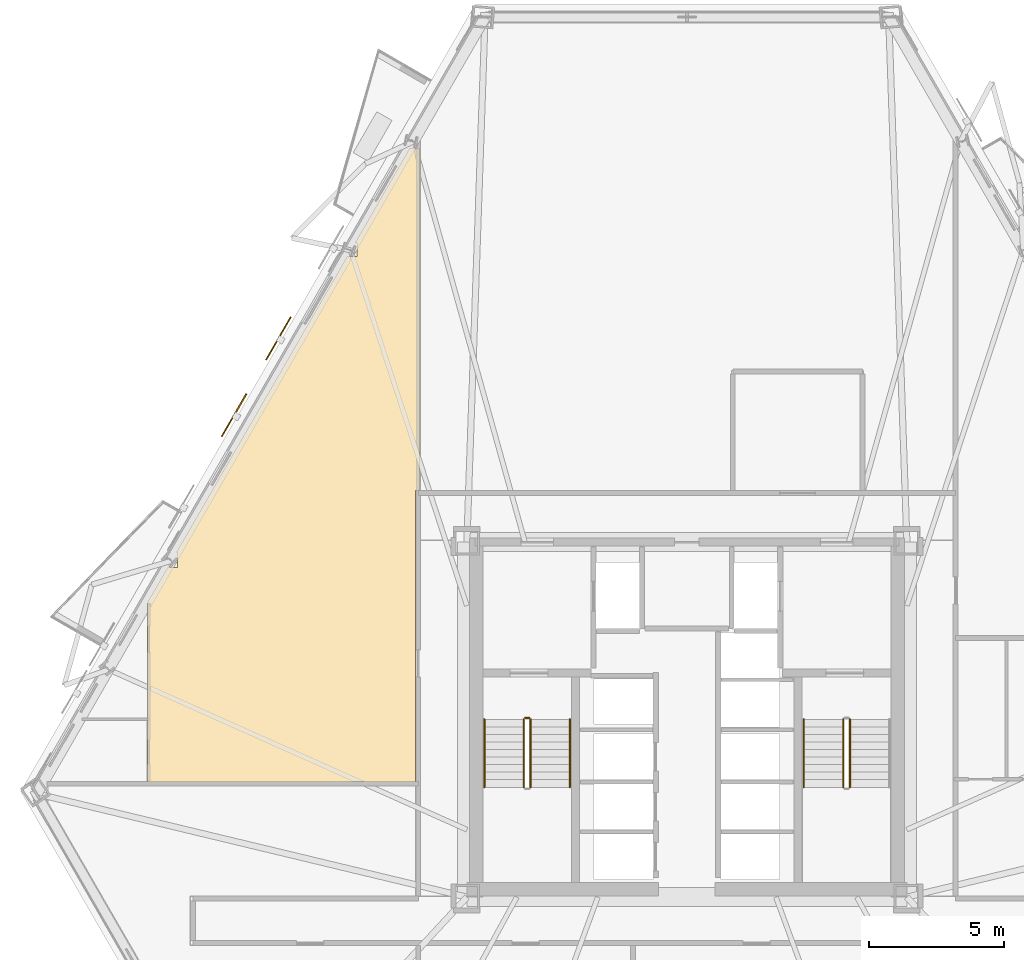
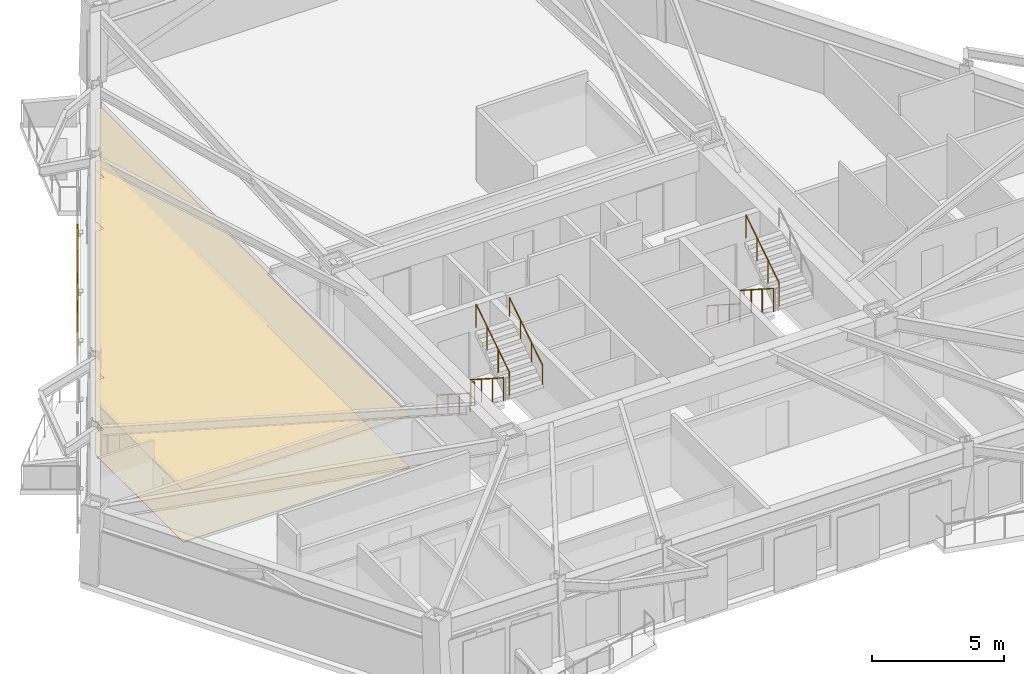
# One storey, part 11 of 13: 8 railings, 2 coverings, 2 shading devices.
"""IFC4 building model written with IfcOpenShell, lengths in metres."""

from ifc_helpers import new_model, si_unit, direction, frame, origin, origin_2d, place, context, subcontext, project, spatial, polyline, rectangle, circle, outline, extrude, material, layer, layer_set, type_object, element, save


model = new_model("IFC4")

# Units and contexts
model_context = context("Model", 3, precision=1e-05, world=origin(), true_north=direction((0.0, 1.0)))
body_context = subcontext(model_context, "Body", "Model", "MODEL_VIEW")
ifc_project = project(units=[si_unit("LENGTHUNIT", "METRE"), si_unit("AREAUNIT", "SQUARE_METRE"), si_unit("VOLUMEUNIT", "CUBIC_METRE"), si_unit("PLANEANGLEUNIT", "RADIAN"), si_unit("MASSUNIT", "GRAM", prefix="KILO")], contexts=[model_context])

# Site, building, storey
site_placement = place(None, origin())
site = spatial("IfcSite", under=ifc_project, at=site_placement, CompositionType="ELEMENT")
building_placement = place(site_placement, origin())
building = spatial("IfcBuilding", under=site, at=building_placement, Name="Oramaril Tower", CompositionType="ELEMENT")
storey_placement = place(building_placement, frame((0.0, 0.0, 41.699951171875)))
storey = spatial("IfcBuildingStorey", under=building, at=storey_placement, Name="L10", CompositionType="ELEMENT", Elevation=41.699951171875)

# Coverings
ifc_material_1 = material(Name="Mineral Fibre Acoustic Ceiling")
ifc_layer_1 = layer(ifc_material_1, 0.02001953125)
ifc_layer_set_1 = layer_set([ifc_layer_1], Name="CVT-CEIL")
covering_type_1 = type_object("IfcCoveringType", Name="CVT-CEIL", PredefinedType="CEILING", material=ifc_layer_set_1)
covering_1_placement = place(storey_placement, frame((0.0, 0.0, 2.400146484375)))
element("IfcCovering", 1, at=covering_1_placement, inside=storey, type_object=covering_type_1, Name="L10 Acoustic Suspended Ceiling 15", PredefinedType="CEILING", context=body_context, shape_type="SweptSolid", body=[
    extrude(outline(polyline([(17.52587890625, 21.93505859375), (18.268310546875, 23.22119140625), (18.634765625, 23.22119140625), (18.634765625, 23.7626953125), (18.580810546875, 23.7626953125), (24.9111328125, 34.726806640625), (25.277587890625, 34.726806640625), (25.277587890625, 35.235107421875), (25.20458984375, 35.235107421875), (27.236083984375, 38.75390625), (27.592041015625, 38.75390625), (27.592041015625, 26.070068359375), (27.469970703125, 26.070068359375), (27.468017578125, 26.06982421875), (27.466064453125, 26.069580078125), (27.464111328125, 26.069091796875), (27.46240234375, 26.068603515625), (27.460693359375, 26.067626953125), (27.458984375, 26.066650390625), (27.457275390625, 26.0654296875), (27.455810546875, 26.064208984375), (27.45458984375, 26.062744140625), (27.453369140625, 26.06103515625), (27.452392578125, 26.059326171875), (27.451416015625, 26.0576171875), (27.450927734375, 26.055908203125), (27.450439453125, 26.053955078125), (27.4501953125, 26.052001953125), (27.449951171875, 26.050048828125), (27.449951171875, 24.239990234375), (27.4501953125, 24.238037109375), (27.450439453125, 24.236083984375), (27.450927734375, 24.234130859375), (27.451416015625, 24.232421875), (27.452392578125, 24.230712890625), (27.45263671875, 24.22998046875), (27.452392578125, 24.2294921875), (27.451416015625, 24.227783203125), (27.450927734375, 24.225830078125), (27.450439453125, 24.223876953125), (27.4501953125, 24.221923828125), (27.449951171875, 24.219970703125), (27.449951171875, 15.261962890625), (17.52587890625, 15.261962890625), (17.52587890625, 21.93505859375)])), origin(), (0.0, 0.0, 1.0), 0.02001953125),
])
ifc_material_2 = material(Name="Honed Quartzite Stone Flooring", Category="masonry")
ifc_layer_2 = layer(ifc_material_2, 0.02490234375)
ifc_layer_set_2 = layer_set([ifc_layer_2], Name="CVT-FLR")
covering_type_2 = type_object("IfcCoveringType", Name="CVT-FLR", PredefinedType="FLOORING", material=ifc_layer_set_2)
covering_2_placement = place(storey_placement, origin())
element("IfcCovering", 2, at=covering_2_placement, inside=storey, type_object=covering_type_2, Name="L10 Honed Stone Floor Finish 15", PredefinedType="FLOORING", context=body_context, shape_type="SweptSolid", body=[
    extrude(outline(polyline([(17.52587890625, 21.93505859375), (18.268310546875, 23.22119140625), (18.634765625, 23.22119140625), (18.634765625, 23.7626953125), (18.580810546875, 23.7626953125), (24.9111328125, 34.726806640625), (25.277587890625, 34.726806640625), (25.277587890625, 35.235107421875), (25.20458984375, 35.235107421875), (27.236083984375, 38.75390625), (27.592041015625, 38.75390625), (27.592041015625, 26.070068359375), (27.469970703125, 26.070068359375), (27.468017578125, 26.06982421875), (27.466064453125, 26.069580078125), (27.464111328125, 26.069091796875), (27.46240234375, 26.068603515625), (27.460693359375, 26.067626953125), (27.458984375, 26.066650390625), (27.457275390625, 26.0654296875), (27.455810546875, 26.064208984375), (27.45458984375, 26.062744140625), (27.453369140625, 26.06103515625), (27.452392578125, 26.059326171875), (27.451416015625, 26.0576171875), (27.450927734375, 26.055908203125), (27.450439453125, 26.053955078125), (27.4501953125, 26.052001953125), (27.449951171875, 26.050048828125), (27.449951171875, 24.239990234375), (27.4501953125, 24.238037109375), (27.450439453125, 24.236083984375), (27.450927734375, 24.234130859375), (27.451416015625, 24.232421875), (27.452392578125, 24.230712890625), (27.45263671875, 24.22998046875), (27.452392578125, 24.2294921875), (27.451416015625, 24.227783203125), (27.450927734375, 24.225830078125), (27.450439453125, 24.223876953125), (27.4501953125, 24.221923828125), (27.449951171875, 24.219970703125), (27.449951171875, 15.261962890625), (17.52587890625, 15.261962890625), (17.52587890625, 21.93505859375)])), origin(), (0.0, 0.0, 1.0), 0.025146484375),
])

# Railings
ifc_material_3 = material(Name="Stainless Steel 316L", Category="steel")
railing_type_1 = type_object("IfcRailingType", Name="RLT-GRD", PredefinedType="GUARDRAIL", material=ifc_material_3)
railing_1_placement = place(storey_placement, frame((31.4599609375, 17.590087890625, 0.179931640625)))
element("IfcRailing", 3, at=railing_1_placement, inside=storey, type_object=railing_type_1, Name="L10 ST-1 stair guard 1", PredefinedType="GUARDRAIL", context=body_context, shape_type="SweptSolid", body=[
    extrude(circle(Radius=0.02392578125, at=origin_2d()), frame((0.0, 0.0, 1.076171875), z_axis=(0.0, -0.841162588446, 0.540782303519), x_axis=(1.0, 0.0, 0.0)), (0.0, 0.0, 1.0), 2.995849609375),
    extrude(circle(Radius=0.02099609375, at=origin_2d()), origin(), (0.0, 0.0, 1.0), 1.052001953125),
    extrude(circle(Radius=0.02099609375, at=origin_2d()), frame((0.0, -0.840087890625, 0.5400390625)), (0.0, 0.0, 1.0), 1.052001953125),
    extrude(circle(Radius=0.02099609375, at=origin_2d()), frame((0.0, -1.679931640625, 1.080078125)), (0.0, 0.0, 1.0), 1.052001953125),
    extrude(circle(Radius=0.02099609375, at=origin_2d()), frame((0.0, -2.52001953125, 1.6201171875)), (0.0, 0.0, 1.0), 1.052001953125),
])
railing_2_placement = place(storey_placement, frame((31.7099609375, 15.070068359375, 1.97998046875)))
element("IfcRailing", 4, at=railing_2_placement, inside=storey, type_object=railing_type_1, Name="L10 ST-1 stair guard 3", PredefinedType="GUARDRAIL", context=body_context, shape_type="SweptSolid", body=[
    extrude(circle(Radius=0.02392578125, at=origin_2d()), frame((0.0, 0.0, 1.076171875), z_axis=(0.0, 0.841162588446, 0.540782303519), x_axis=(-1.0, 0.0, 0.0)), (0.0, 0.0, 1.0), 2.995849609375),
    extrude(circle(Radius=0.02099609375, at=origin_2d()), origin(), (0.0, 0.0, 1.0), 1.052001953125),
    extrude(circle(Radius=0.02099609375, at=origin_2d()), frame((0.0, 0.840087890625, 0.5400390625)), (0.0, 0.0, 1.0), 1.052001953125),
    extrude(circle(Radius=0.02099609375, at=origin_2d()), frame((0.0, 1.679931640625, 1.080078125)), (0.0, 0.0, 1.0), 1.052001953125),
    extrude(circle(Radius=0.02099609375, at=origin_2d()), frame((0.0, 2.52001953125, 1.6201171875)), (0.0, 0.0, 1.0), 1.052001953125),
])
railing_3_placement = place(storey_placement, frame((31.510009765625, 17.639892578125, 0.0)))
element("IfcRailing", 5, at=railing_3_placement, inside=storey, type_object=railing_type_1, Name="L10 ST-1 stair guard 4", PredefinedType="GUARDRAIL", context=body_context, shape_type="SweptSolid", body=[
    extrude(circle(Radius=0.02392578125, at=origin_2d()), frame((0.0, 0.0, 1.076171875), z_axis=(1.0, 0.0, 0.0), x_axis=(0.0, 1.0, 0.0)), (0.0, 0.0, 1.0), 0.14990234375),
    extrude(circle(Radius=0.02099609375, at=origin_2d()), origin(), (0.0, 0.0, 1.0), 1.052001953125),
    extrude(circle(Radius=0.02099609375, at=origin_2d()), frame((0.14990234375, 0.0, 0.0)), (0.0, 0.0, 1.0), 1.052001953125),
])
railing_4_placement = place(storey_placement, frame((43.2900390625, 17.590087890625, 0.179931640625)))
element("IfcRailing", 6, at=railing_4_placement, inside=storey, type_object=railing_type_1, Name="L10 ST-2 stair guard 1", PredefinedType="GUARDRAIL", context=body_context, shape_type="SweptSolid", body=[
    extrude(circle(Radius=0.02392578125, at=origin_2d()), frame((0.0, 0.0, 1.076171875), z_axis=(0.0, -0.841162588446, 0.540782303519), x_axis=(1.0, 0.0, 0.0)), (0.0, 0.0, 1.0), 2.995849609375),
    extrude(circle(Radius=0.02099609375, at=origin_2d()), origin(), (0.0, 0.0, 1.0), 1.052001953125),
    extrude(circle(Radius=0.02099609375, at=origin_2d()), frame((0.0, -0.840087890625, 0.5400390625)), (0.0, 0.0, 1.0), 1.052001953125),
    extrude(circle(Radius=0.02099609375, at=origin_2d()), frame((0.0, -1.679931640625, 1.080078125)), (0.0, 0.0, 1.0), 1.052001953125),
    extrude(circle(Radius=0.02099609375, at=origin_2d()), frame((0.0, -2.52001953125, 1.6201171875)), (0.0, 0.0, 1.0), 1.052001953125),
])
railing_5_placement = place(storey_placement, frame((43.5400390625, 15.070068359375, 1.97998046875)))
element("IfcRailing", 7, at=railing_5_placement, inside=storey, type_object=railing_type_1, Name="L10 ST-2 stair guard 3", PredefinedType="GUARDRAIL", context=body_context, shape_type="SweptSolid", body=[
    extrude(circle(Radius=0.02392578125, at=origin_2d()), frame((0.0, 0.0, 1.076171875), z_axis=(0.0, 0.841162588446, 0.540782303519), x_axis=(-1.0, 0.0, 0.0)), (0.0, 0.0, 1.0), 2.995849609375),
    extrude(circle(Radius=0.02099609375, at=origin_2d()), origin(), (0.0, 0.0, 1.0), 1.052001953125),
    extrude(circle(Radius=0.02099609375, at=origin_2d()), frame((0.0, 0.840087890625, 0.5400390625)), (0.0, 0.0, 1.0), 1.052001953125),
    extrude(circle(Radius=0.02099609375, at=origin_2d()), frame((0.0, 1.679931640625, 1.080078125)), (0.0, 0.0, 1.0), 1.052001953125),
    extrude(circle(Radius=0.02099609375, at=origin_2d()), frame((0.0, 2.52001953125, 1.6201171875)), (0.0, 0.0, 1.0), 1.052001953125),
])
ifc_material_4 = material(Name="Stainless Steel 316L", Category="steel")
railing_type_2 = type_object("IfcRailingType", Name="RLT-HND", PredefinedType="HANDRAIL", material=ifc_material_4)
railing_6_placement = place(storey_placement, frame((30.0, 17.590087890625, 0.179931640625)))
element("IfcRailing", 8, at=railing_6_placement, inside=storey, type_object=railing_type_2, Name="L10 ST-1 stair handrail 1", PredefinedType="HANDRAIL", context=body_context, shape_type="SweptSolid", body=[
    extrude(circle(Radius=0.02392578125, at=origin_2d()), frame((0.0, 0.0, 0.8759765625), z_axis=(0.0, -0.841162588446, 0.540782303519), x_axis=(1.0, 0.0, 0.0)), (0.0, 0.0, 1.0), 2.995849609375),
    extrude(circle(Radius=0.02099609375, at=origin_2d()), origin(), (0.0, 0.0, 1.0), 0.851806640625),
    extrude(circle(Radius=0.02099609375, at=origin_2d()), frame((0.0, -0.840087890625, 0.5400390625)), (0.0, 0.0, 1.0), 0.851806640625),
    extrude(circle(Radius=0.02099609375, at=origin_2d()), frame((0.0, -1.679931640625, 1.080078125)), (0.0, 0.0, 1.0), 0.851806640625),
    extrude(circle(Radius=0.02099609375, at=origin_2d()), frame((0.0, -2.52001953125, 1.6201171875)), (0.0, 0.0, 1.0), 0.851806640625),
])
railing_7_placement = place(storey_placement, frame((33.169921875, 15.070068359375, 1.97998046875)))
element("IfcRailing", 9, at=railing_7_placement, inside=storey, type_object=railing_type_2, Name="L10 ST-1 stair handrail 2", PredefinedType="HANDRAIL", context=body_context, shape_type="SweptSolid", body=[
    extrude(circle(Radius=0.02392578125, at=origin_2d()), frame((0.0, 0.0, 0.8759765625), z_axis=(0.0, 0.841162588446, 0.540782303519), x_axis=(-1.0, 0.0, 0.0)), (0.0, 0.0, 1.0), 2.995849609375),
    extrude(circle(Radius=0.02099609375, at=origin_2d()), origin(), (0.0, 0.0, 1.0), 0.851806640625),
    extrude(circle(Radius=0.02099609375, at=origin_2d()), frame((0.0, 0.840087890625, 0.5400390625)), (0.0, 0.0, 1.0), 0.851806640625),
    extrude(circle(Radius=0.02099609375, at=origin_2d()), frame((0.0, 1.679931640625, 1.080078125)), (0.0, 0.0, 1.0), 0.851806640625),
    extrude(circle(Radius=0.02099609375, at=origin_2d()), frame((0.0, 2.52001953125, 1.6201171875)), (0.0, 0.0, 1.0), 0.851806640625),
])
railing_8_placement = place(storey_placement, frame((41.830078125, 17.590087890625, 0.179931640625)))
element("IfcRailing", 10, at=railing_8_placement, inside=storey, type_object=railing_type_2, Name="L10 ST-2 stair handrail 1", PredefinedType="HANDRAIL", context=body_context, shape_type="SweptSolid", body=[
    extrude(circle(Radius=0.02392578125, at=origin_2d()), frame((0.0, 0.0, 0.8759765625), z_axis=(0.0, -0.841162588446, 0.540782303519), x_axis=(1.0, 0.0, 0.0)), (0.0, 0.0, 1.0), 2.995849609375),
    extrude(circle(Radius=0.02099609375, at=origin_2d()), origin(), (0.0, 0.0, 1.0), 0.851806640625),
    extrude(circle(Radius=0.02099609375, at=origin_2d()), frame((0.0, -0.840087890625, 0.5400390625)), (0.0, 0.0, 1.0), 0.851806640625),
    extrude(circle(Radius=0.02099609375, at=origin_2d()), frame((0.0, -1.679931640625, 1.080078125)), (0.0, 0.0, 1.0), 0.851806640625),
    extrude(circle(Radius=0.02099609375, at=origin_2d()), frame((0.0, -2.52001953125, 1.6201171875)), (0.0, 0.0, 1.0), 0.851806640625),
])

# Shading devices
for number, where, z_axis, x_axis, name in (
    (11, (22.367919921875, 31.69775390625, -0.02001953125), (0.0, 0.0, 1.0), (-0.5, -0.866025403784, 0.0), "L10 Perforated Ceramic Solar Screen"),
    (12, (20.72705078125, 28.85595703125, -0.02001953125), (0.0, 0.0, 1.0), (-0.5, -0.866025403784, 0.0), "L10 Perforated Ceramic Solar Screen"),
):
    element("IfcShadingDevice", number, at=place(storey_placement, frame(where, z_axis=z_axis, x_axis=x_axis)), inside=storey, Name=name, ObjectType="SCREEN", PredefinedType="USERDEFINED", context=body_context, shape_type="SweptSolid", body=[
        extrude(rectangle(XDim=1.8330078125, YDim=0.050048828125, at=origin_2d()), origin(), (0.0, 0.0, 1.0), 2.493896484375),
    ])

save(model, "model.ifc")
